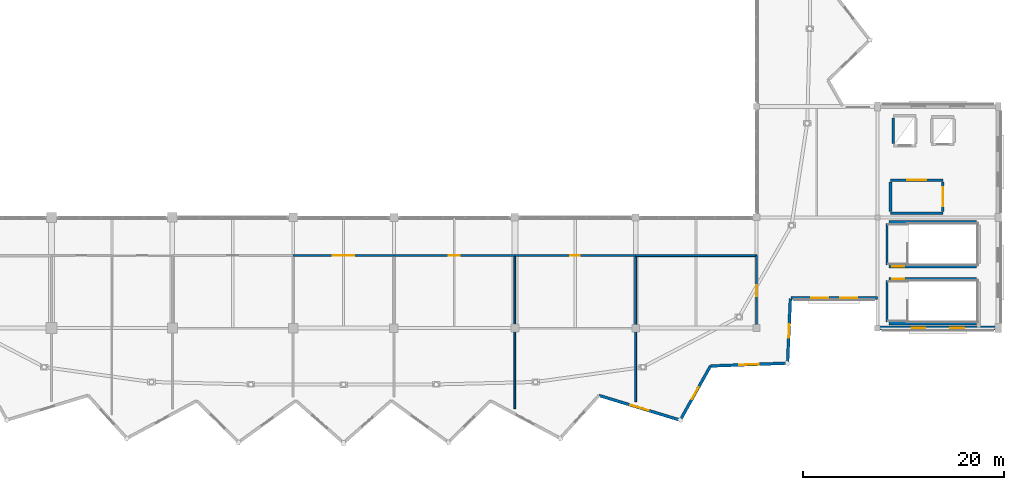
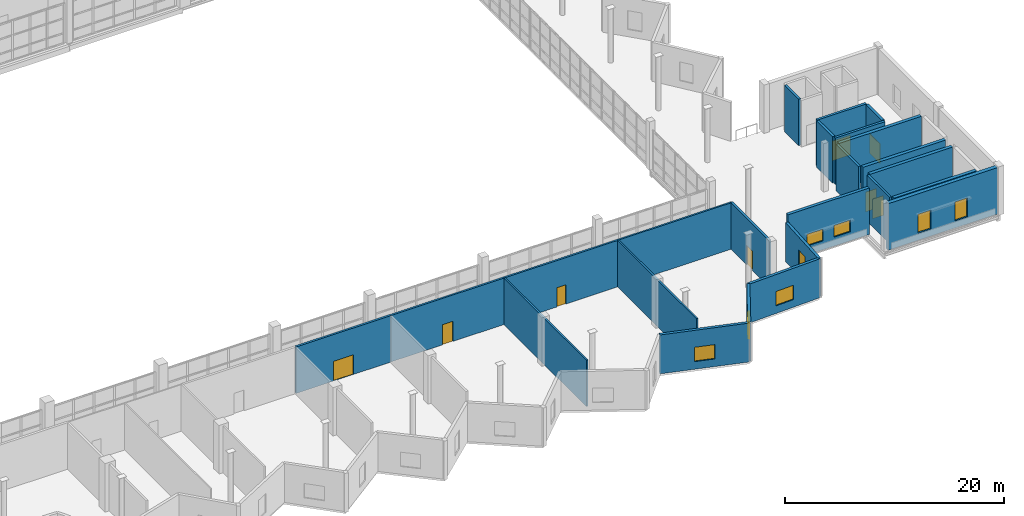
# One storey, part 39 of 49: 24 walls, 8 doors, 8 windows, 16 openings.
"""IFC4 building model written with IfcOpenShell, lengths in metres."""

from ifc_helpers import new_model, si_unit, direction, frame, frame_2d, origin, place, context, subcontext, project, spatial, rectangle, extrude, material, layer, layer_set, type_object, element, fill, save


model = new_model("IFC4")

# Units and contexts
model_context = context("Model", 3, precision=1e-05, world=origin(), true_north=direction((0.0, 1.0)))
body_context = subcontext(model_context, "Body", "Model", "MODEL_VIEW")
ifc_project = project(units=[si_unit("LENGTHUNIT", "METRE"), si_unit("AREAUNIT", "SQUARE_METRE"), si_unit("VOLUMEUNIT", "CUBIC_METRE"), si_unit("PLANEANGLEUNIT", "RADIAN"), si_unit("MASSUNIT", "GRAM", prefix="KILO")], contexts=[model_context])

# Site, building, storey
site_placement = place(None, origin())
site = spatial("IfcSite", under=ifc_project, at=site_placement, CompositionType="ELEMENT")
building_placement = place(site_placement, origin())
building = spatial("IfcBuilding", under=site, at=building_placement, Name="Luwafu Chhajja Arena", CompositionType="ELEMENT")
storey_placement = place(building_placement, frame((0.0, 0.0, 24.300048828125)))
storey = spatial("IfcBuildingStorey", under=building, at=storey_placement, Name="L05", CompositionType="ELEMENT", Elevation=24.300048828125)

# Wall, opening, door
ifc_material_1 = material(Name="Acoustic gypsum and mineral wool partition")
ifc_layer_1 = layer(ifc_material_1, 0.199951171875, Name="Acoustic gypsum and mineral wool partition")
ifc_layer_set_1 = layer_set([ifc_layer_1], Name="Acoustic gypsum and mineral wool partition")
wall_type_1 = type_object("IfcWallType", Name="Acoustic Broadcast Studio Partition 200", PredefinedType="PARTITIONING", material=ifc_layer_set_1)
wall_1_placement = place(storey_placement, frame((104.0, 18.199951171875, 0.0), z_axis=(0.0, 0.0, 1.0), x_axis=(1.0, 0.0, 0.0)))
wall_1 = element("IfcWall", 1, at=wall_1_placement, inside=storey, type_object=wall_type_1, Name="L05 Internal Partition 0347", PredefinedType="PARTITIONING", context=body_context, shape_type="SweptSolid", body=[
    extrude(rectangle(XDim=12.0, YDim=0.199951171875, at=frame_2d((6.0, 0.0))), origin(), (0.0, 0.0, 1.0), 5.179931640625),
])
opening_1_placement = place(wall_1_placement, frame((5.43994140625, 0.0, 0.0)))
opening_1 = element("IfcOpeningElement", 2, at=opening_1_placement, cuts=wall_1, Name="Opening DR-16", PredefinedType="OPENING", context=body_context, shape_type="SweptSolid", body=[
    extrude(rectangle(XDim=1.1201171875, YDim=2.25, at=frame_2d((0.56005859375, 1.125))), frame((0.0, 0.10986328125, 0.0), z_axis=(0.0, -1.0, 0.0), x_axis=(1.0, 0.0, 0.0)), (0.0, 0.0, 1.0), 0.219970703125),
])
ifc_material_2 = material(Name="Acoustic steel-core timber door", Category="steel")
door_type_1 = type_object("IfcDoorType", Name="DR-16", OperationType="NOTDEFINED", PredefinedType="DOOR", material=ifc_material_2)
door_1_placement = place(opening_1_placement, origin())
door_1 = element("IfcDoor", 3, at=door_1_placement, inside=storey, type_object=door_type_1, Name="L05 Interior Door L05-D025", OperationType="SINGLE_SWING_RIGHT", OverallHeight=2.25, OverallWidth=1.1201171875, PredefinedType="DOOR", context=body_context, shape_type="SweptSolid", body=[
    extrude(rectangle(XDim=1.1201171875, YDim=2.25, at=frame_2d((0.56005859375, 1.125))), frame((0.0, 0.02490234375, 0.0), z_axis=(0.0, -1.0, 0.0), x_axis=(1.0, 0.0, 0.0)), (0.0, 0.0, 1.0), 0.050048828125),
])
fill(opening_1, door_1)

wall_2_placement = place(storey_placement, frame((116.0, 18.199951171875, 0.0), z_axis=(0.0, 0.0, 1.0), x_axis=(1.0, 0.0, 0.0)))
wall_2 = element("IfcWall", 4, at=wall_2_placement, inside=storey, type_object=wall_type_1, Name="L05 Internal Partition 0348", PredefinedType="PARTITIONING", context=body_context, shape_type="SweptSolid", body=[
    extrude(rectangle(XDim=12.0, YDim=0.199951171875, at=frame_2d((6.0, 0.0))), origin(), (0.0, 0.0, 1.0), 5.179931640625),
])
opening_2_placement = place(wall_2_placement, frame((5.530029296875, 0.0, 0.0)))
opening_2 = element("IfcOpeningElement", 5, at=opening_2_placement, cuts=wall_2, Name="Opening DR-17", PredefinedType="OPENING", context=body_context, shape_type="SweptSolid", body=[
    extrude(rectangle(XDim=0.93994140625, YDim=2.14990234375, at=frame_2d((0.469970703125, 1.074951171875))), frame((0.0, 0.10986328125, 0.0), z_axis=(0.0, -1.0, 0.0), x_axis=(1.0, 0.0, 0.0)), (0.0, 0.0, 1.0), 0.219970703125),
])
door_type_2 = type_object("IfcDoorType", Name="DR-17", OperationType="NOTDEFINED", PredefinedType="DOOR", material=ifc_material_2)
door_2_placement = place(opening_2_placement, origin())
door_2 = element("IfcDoor", 6, at=door_2_placement, inside=storey, type_object=door_type_2, Name="L05 Interior Door L05-D026", OperationType="SINGLE_SWING_LEFT", OverallHeight=2.14990234375, OverallWidth=0.93994140625, PredefinedType="DOOR", context=body_context, shape_type="SweptSolid", body=[
    extrude(rectangle(XDim=0.93994140625, YDim=2.14990234375, at=frame_2d((0.469970703125, 1.074951171875))), frame((0.0, 0.02490234375, 0.0), z_axis=(0.0, -1.0, 0.0), x_axis=(1.0, 0.0, 0.0)), (0.0, 0.0, 1.0), 0.050048828125),
])
fill(opening_2, door_2)

ifc_material_3 = material(Name="Concrete blockwork masonry", Category="masonry")
ifc_layer_2 = layer(ifc_material_3, 0.239990234375, Name="Concrete blockwork masonry")
ifc_layer_set_2 = layer_set([ifc_layer_2], Name="Concrete blockwork masonry")
wall_type_2 = type_object("IfcWallType", Name="Compartment Masonry Partition 240", PredefinedType="PARTITIONING", material=ifc_layer_set_2)
wall_3_placement = place(storey_placement, frame((140.0, 11.219970703125, 0.0), z_axis=(0.0, 0.0, 1.0), x_axis=(0.0, 1.0, 0.0)))
wall_3 = element("IfcWall", 7, at=wall_3_placement, inside=storey, type_object=wall_type_2, Name="L05 Internal Partition 0339", PredefinedType="PARTITIONING", context=body_context, shape_type="SweptSolid", body=[
    extrude(rectangle(XDim=6.97998046875, YDim=0.239990234375, at=frame_2d((3.489990234375, 0.0))), origin(), (0.0, 0.0, 1.0), 5.179931640625),
])
opening_3_placement = place(wall_3_placement, frame((2.949951171875, 0.0, 0.0)))
opening_3 = element("IfcOpeningElement", 8, at=opening_3_placement, cuts=wall_3, Name="Opening DR-10", PredefinedType="OPENING", context=body_context, shape_type="SweptSolid", body=[
    extrude(rectangle(XDim=1.080078125, YDim=2.14990234375, at=frame_2d((0.5400390625, 1.074951171875))), frame((0.0, 0.1298828125, 0.0), z_axis=(0.0, -1.0, 0.0), x_axis=(1.0, 0.0, 0.0)), (0.0, 0.0, 1.0), 0.260009765625),
])
ifc_material_4 = material(Name="Fire-rated hardwood leaf", Category="wood")
door_type_3 = type_object("IfcDoorType", Name="DR-10", OperationType="NOTDEFINED", PredefinedType="DOOR", material=ifc_material_4)
door_3_placement = place(opening_3_placement, origin())
door_3 = element("IfcDoor", 9, at=door_3_placement, inside=storey, type_object=door_type_3, Name="L05 Interior Door L05-D019", OperationType="SINGLE_SWING_RIGHT", OverallHeight=2.14990234375, OverallWidth=1.080078125, PredefinedType="DOOR", context=body_context, shape_type="SweptSolid", body=[
    extrude(rectangle(XDim=1.080078125, YDim=2.14990234375, at=frame_2d((0.5400390625, 1.074951171875))), frame((0.0, 0.02490234375, 0.0), z_axis=(0.0, -1.0, 0.0), x_axis=(1.0, 0.0, 0.0)), (0.0, 0.0, 1.0), 0.050048828125),
])
fill(opening_3, door_3)

ifc_material_5 = material(Name="Concrete C40/50", Category="concrete")
ifc_layer_3 = layer(ifc_material_5, 0.260009765625, Name="Concrete C40/50")
ifc_layer_set_3 = layer_set([ifc_layer_3], Name="Concrete C40/50")
wall_type_3 = type_object("IfcWallType", Name="Firefighting Lobby Wall 260", PredefinedType="SOLIDWALL", material=ifc_layer_set_3)
wall_4_placement = place(storey_placement, frame((153.300048828125, 25.699951171875, 0.0), z_axis=(0.0, 0.0, 1.0), x_axis=(1.0, 0.0, 0.0)))
wall_4 = element("IfcWall", 10, at=wall_4_placement, inside=storey, type_object=wall_type_3, Name="L05 Core C2 Firefighting Lobby Wall N", PredefinedType="SOLIDWALL", context=body_context, shape_type="SweptSolid", body=[
    extrude(rectangle(XDim=5.199951171875, YDim=0.260009765625, at=frame_2d((2.60009765625, 0.0))), origin(), (0.0, 0.0, 1.0), 5.179931640625),
])
opening_4_placement = place(wall_4_placement, frame((1.64990234375, 0.0, 0.0)))
opening_4 = element("IfcOpeningElement", 11, at=opening_4_placement, cuts=wall_4, Name="Opening DR-07", PredefinedType="OPENING", context=body_context, shape_type="SweptSolid", body=[
    extrude(rectangle(XDim=1.89990234375, YDim=2.199951171875, at=frame_2d((0.949951171875, 1.10009765625))), frame((0.0, 0.139892578125, 0.0), z_axis=(0.0, -1.0, 0.0), x_axis=(1.0, 0.0, 0.0)), (0.0, 0.0, 1.0), 0.280029296875),
])
ifc_material_6 = material(Name="Fire-rated hardwood and vision panel", Category="wood")
door_type_4 = type_object("IfcDoorType", Name="DR-07", OperationType="DOUBLE_DOOR_SINGLE_SWING", PredefinedType="DOOR", material=ifc_material_6)
door_4_placement = place(opening_4_placement, origin())
door_4 = element("IfcDoor", 12, at=door_4_placement, inside=storey, type_object=door_type_4, Name="L05 Firefighting Lobby C2 Door L05-D007", OperationType="DOUBLE_DOOR_SINGLE_SWING", OverallHeight=2.199951171875, OverallWidth=1.89990234375, PredefinedType="DOOR", context=body_context, shape_type="SweptSolid", body=[
    extrude(rectangle(XDim=1.89990234375, YDim=2.199951171875, at=frame_2d((0.949951171875, 1.10009765625))), frame((0.0, 0.02490234375, 0.0), z_axis=(0.0, -1.0, 0.0), x_axis=(1.0, 0.0, 0.0)), (0.0, 0.0, 1.0), 0.050048828125),
])
fill(opening_4, door_4)

# Walls
wall_5_placement = place(storey_placement, frame((153.300048828125, 22.39990234375, 0.0), z_axis=(0.0, 0.0, 1.0), x_axis=(1.0, 0.0, 0.0)))
element("IfcWall", 13, at=wall_5_placement, inside=storey, type_object=wall_type_3, Name="L05 Core C2 Firefighting Lobby Wall S", PredefinedType="SOLIDWALL", context=body_context, shape_type="SweptSolid", body=[
    extrude(rectangle(XDim=5.199951171875, YDim=0.260009765625, at=frame_2d((2.60009765625, 0.0))), origin(), (0.0, 0.0, 1.0), 5.179931640625),
])
wall_6_placement = place(storey_placement, frame((153.300048828125, 22.60009765625, 0.0), z_axis=(0.0, 0.0, 1.0), x_axis=(0.0, 1.0, 0.0)))
element("IfcWall", 14, at=wall_6_placement, inside=storey, type_object=wall_type_3, Name="L05 Core C2 Firefighting Lobby Wall W", PredefinedType="SOLIDWALL", context=body_context, shape_type="SweptSolid", body=[
    extrude(rectangle(XDim=2.89990234375, YDim=0.260009765625, at=frame_2d((1.449951171875, 0.0))), origin(), (0.0, 0.0, 1.0), 5.179931640625),
])

# Wall, opening, door
wall_7_placement = place(storey_placement, frame((158.5, 22.60009765625, 0.0), z_axis=(0.0, 0.0, 1.0), x_axis=(0.0, 1.0, 0.0)))
wall_7 = element("IfcWall", 15, at=wall_7_placement, inside=storey, type_object=wall_type_3, Name="L05 Core C2 Firefighting Lobby Wall E", PredefinedType="SOLIDWALL", context=body_context, shape_type="SweptSolid", body=[
    extrude(rectangle(XDim=2.89990234375, YDim=0.260009765625, at=frame_2d((1.449951171875, 0.0))), origin(), (0.0, 0.0, 1.0), 5.179931640625),
])
opening_5_placement = place(wall_7_placement, frame((0.5, 0.0, 0.0)))
opening_5 = element("IfcOpeningElement", 16, at=opening_5_placement, cuts=wall_7, Name="Opening DR-07", PredefinedType="OPENING", context=body_context, shape_type="SweptSolid", body=[
    extrude(rectangle(XDim=1.89990234375, YDim=2.199951171875, at=frame_2d((0.949951171875, 1.10009765625))), frame((0.0, 0.139892578125, 0.0), z_axis=(0.0, -1.0, 0.0), x_axis=(1.0, 0.0, 0.0)), (0.0, 0.0, 1.0), 0.280029296875),
])
door_5_placement = place(opening_5_placement, origin())
door_5 = element("IfcDoor", 17, at=door_5_placement, inside=storey, type_object=door_type_4, Name="L05 Firefighting Lobby C2 Door L05-D008", OperationType="DOUBLE_DOOR_SINGLE_SWING", OverallHeight=2.199951171875, OverallWidth=1.89990234375, PredefinedType="DOOR", context=body_context, shape_type="SweptSolid", body=[
    extrude(rectangle(XDim=1.89990234375, YDim=2.199951171875, at=frame_2d((0.949951171875, 1.10009765625))), frame((0.0, 0.02490234375, 0.0), z_axis=(0.0, -1.0, 0.0), x_axis=(1.0, 0.0, 0.0)), (0.0, 0.0, 1.0), 0.050048828125),
])
fill(opening_5, door_5)

# Walls
ifc_layer_4 = layer(ifc_material_3, 0.179931640625, Name="Concrete blockwork masonry")
ifc_layer_set_4 = layer_set([ifc_layer_4], Name="Concrete blockwork masonry")
wall_type_4 = type_object("IfcWallType", Name="Hospitality Suite Partition 180", PredefinedType="PARTITIONING", material=ifc_layer_set_4)
wall_8_placement = place(storey_placement, frame((128.0, 18.199951171875, 0.0), z_axis=(0.0, 0.0, 1.0), x_axis=(1.0, 0.0, 0.0)))
element("IfcWall", 18, at=wall_8_placement, inside=storey, type_object=wall_type_4, Name="L05 Internal Partition 0349", PredefinedType="PARTITIONING", context=body_context, shape_type="SweptSolid", body=[
    extrude(rectangle(XDim=12.0, YDim=0.179931640625, at=frame_2d((6.0, 0.0))), origin(), (0.0, 0.0, 1.0), 5.179931640625),
])
wall_9_placement = place(storey_placement, frame((116.0, 3.015625, 0.0), z_axis=(0.0, 0.0, 1.0), x_axis=(0.0, 1.0, 0.0)))
element("IfcWall", 19, at=wall_9_placement, inside=storey, type_object=wall_type_4, Name="L05 Internal Partition 0362", PredefinedType="PARTITIONING", context=body_context, shape_type="SweptSolid", body=[
    extrude(rectangle(XDim=15.184326171875, YDim=0.179931640625, at=frame_2d((7.59228515625, 0.0))), origin(), (0.0, 0.0, 1.0), 5.179931640625),
])
wall_10_placement = place(storey_placement, frame((128.0, 3.712158203125, 0.0), z_axis=(0.0, 0.0, 1.0), x_axis=(0.0, 1.0, 0.0)))
element("IfcWall", 20, at=wall_10_placement, inside=storey, type_object=wall_type_4, Name="L05 Internal Partition 0363", PredefinedType="PARTITIONING", context=body_context, shape_type="SweptSolid", body=[
    extrude(rectangle(XDim=14.48779296875, YDim=0.179931640625, at=frame_2d((7.243896484375, 0.0))), origin(), (0.0, 0.0, 1.0), 5.179931640625),
])
ifc_material_7 = material(Name="Concrete C35/45", Category="concrete")
ifc_layer_5 = layer(ifc_material_7, 0.260009765625, Name="Concrete C35/45")
ifc_layer_set_5 = layer_set([ifc_layer_5], Name="Concrete C35/45")
wall_type_5 = type_object("IfcWallType", Name="Lift and Riser Shaft Wall 260", PredefinedType="SOLIDWALL", material=ifc_layer_set_5)
wall_11_placement = place(storey_placement, frame((153.590087890625, 29.31494140625, 0.0), z_axis=(0.0, 0.0, 1.0), x_axis=(0.0, 1.0, 0.0)))
element("IfcWall", 21, at=wall_11_placement, inside=storey, type_object=wall_type_5, Name="L05 Lift LF-02 Shaft Wall W", PredefinedType="SOLIDWALL", context=body_context, shape_type="SweptSolid", body=[
    extrude(rectangle(XDim=2.570068359375, YDim=0.260009765625, at=frame_2d((1.28515625, 0.0))), origin(), (0.0, 0.0, 1.0), 5.179931640625),
])

# Wall, opening, window
ifc_material_8 = material(Name="Precast concrete C40/50", Category="concrete")
ifc_layer_6 = layer(ifc_material_8, 0.2900390625, Name="Precast concrete C40/50")
ifc_layer_set_6 = layer_set([ifc_layer_6], Name="Precast concrete C40/50")
wall_type_6 = type_object("IfcWallType", Name="Pleated Bowl Upper V-Fold Wall 290", PredefinedType="USERDEFINED", material=ifc_layer_set_6)
wall_12_placement = place(storey_placement, frame((124.364013671875, 4.316162109375, 0.0), z_axis=(0.0, 0.0, 1.0), x_axis=(0.956738407321, -0.290949514446, 0.0)))
wall_12 = element("IfcWall", 22, at=wall_12_placement, inside=storey, type_object=wall_type_6, Name="L05 Pleated Bowl V-Fold Wall 54", ObjectType="PLEATED FACADE WALL", PredefinedType="USERDEFINED", context=body_context, shape_type="SweptSolid", body=[
    extrude(rectangle(XDim=8.427978515625, YDim=0.2900390625, at=frame_2d((4.2138671875, 0.0))), origin(), (0.0, 0.0, 1.0), 4.33984375),
])
opening_6_placement = place(wall_12_placement, frame((3.263916015625, 0.0, 0.85009765625)))
opening_6 = element("IfcOpeningElement", 23, at=opening_6_placement, cuts=wall_12, Name="Opening WN-15", PredefinedType="OPENING", context=body_context, shape_type="SweptSolid", body=[
    extrude(rectangle(XDim=1.89990234375, YDim=1.60009765625, at=frame_2d((0.949951171875, 0.800048828125))), frame((0.0, 0.155029296875, 0.0), z_axis=(0.0, -1.0, 0.0), x_axis=(1.0, 0.0, 0.0)), (0.0, 0.0, 1.0), 0.31005859375),
])
ifc_material_9 = material(Name="Solar-control laminated glass", Category="glass")
window_type_1 = type_object("IfcWindowType", Name="Pleated Drum Inward-Fold Clerestory 1900x1600", PartitioningType="SINGLE_PANEL", PredefinedType="WINDOW", material=ifc_material_9)
window_1_placement = place(opening_6_placement, origin())
window_1 = element("IfcWindow", 24, at=window_1_placement, inside=storey, type_object=window_type_1, Name="L05 Pleated Bowl Lancet Window 174", OverallHeight=1.60009765625, OverallWidth=1.89990234375, PartitioningType="SINGLE_PANEL", PredefinedType="WINDOW", context=body_context, shape_type="SweptSolid", body=[
    extrude(rectangle(XDim=1.89990234375, YDim=1.60009765625, at=frame_2d((0.949951171875, 0.800048828125))), frame((0.0, 0.030029296875, 0.0), z_axis=(0.0, -1.0, 0.0), x_axis=(1.0, 0.0, 0.0)), (0.0, 0.0, 1.0), 0.06005859375),
])
fill(opening_6, window_1)

wall_13_placement = place(storey_placement, frame((132.427490234375, 1.864013671875, 0.0), z_axis=(0.0, 0.0, 1.0), x_axis=(0.487306352228, 0.87323108, 0.0)))
wall_13 = element("IfcWall", 25, at=wall_13_placement, inside=storey, type_object=wall_type_6, Name="L05 Pleated Bowl V-Fold Wall 55", ObjectType="PLEATED FACADE WALL", PredefinedType="USERDEFINED", context=body_context, shape_type="SweptSolid", body=[
    extrude(rectangle(XDim=6.15283203125, YDim=0.2900390625, at=frame_2d((3.076416015625, 0.0))), origin(), (0.0, 0.0, 1.0), 4.33984375),
])
opening_7_placement = place(wall_13_placement, frame((2.401611328125, 0.0, 0.800048828125)))
opening_7 = element("IfcOpeningElement", 26, at=opening_7_placement, cuts=wall_13, Name="Opening WN-17", PredefinedType="OPENING", context=body_context, shape_type="SweptSolid", body=[
    extrude(rectangle(XDim=1.35009765625, YDim=2.10009765625, at=frame_2d((0.675048828125, 1.050048828125))), frame((0.0, 0.155029296875, 0.0), z_axis=(0.0, -1.0, 0.0), x_axis=(1.0, 0.0, 0.0)), (0.0, 0.0, 1.0), 0.31005859375),
])
window_type_2 = type_object("IfcWindowType", Name="Exhibition Mezzanine Lancet Window 1350x2100", PartitioningType="SINGLE_PANEL", PredefinedType="WINDOW", material=ifc_material_9)
window_2_placement = place(opening_7_placement, origin())
window_2 = element("IfcWindow", 27, at=window_2_placement, inside=storey, type_object=window_type_2, Name="L05 Pleated Bowl Lancet Window 175", OverallHeight=2.10009765625, OverallWidth=1.35009765625, PartitioningType="SINGLE_PANEL", PredefinedType="WINDOW", context=body_context, shape_type="SweptSolid", body=[
    extrude(rectangle(XDim=1.35009765625, YDim=2.10009765625, at=frame_2d((0.675048828125, 1.050048828125))), frame((0.0, 0.030029296875, 0.0), z_axis=(0.0, -1.0, 0.0), x_axis=(1.0, 0.0, 0.0)), (0.0, 0.0, 1.0), 0.06005859375),
])
fill(opening_7, window_2)

wall_14_placement = place(storey_placement, frame((135.42578125, 7.23681640625, 0.0), z_axis=(0.0, 0.0, 1.0), x_axis=(0.999297884119, 0.037466502319, 0.0)))
wall_14 = element("IfcWall", 28, at=wall_14_placement, inside=storey, type_object=wall_type_6, Name="L05 Pleated Bowl V-Fold Wall 56", ObjectType="PLEATED FACADE WALL", PredefinedType="USERDEFINED", context=body_context, shape_type="SweptSolid", body=[
    extrude(rectangle(XDim=7.6630859375, YDim=0.2900390625, at=frame_2d((3.83154296875, 0.0))), origin(), (0.0, 0.0, 1.0), 4.33984375),
])
opening_8_placement = place(wall_14_placement, frame((2.881591796875, 0.0, 0.85009765625)))
opening_8 = element("IfcOpeningElement", 29, at=opening_8_placement, cuts=wall_14, Name="Opening WN-15", PredefinedType="OPENING", context=body_context, shape_type="SweptSolid", body=[
    extrude(rectangle(XDim=1.89990234375, YDim=1.60009765625, at=frame_2d((0.949951171875, 0.800048828125))), frame((0.0, 0.155029296875, 0.0), z_axis=(0.0, -1.0, 0.0), x_axis=(1.0, 0.0, 0.0)), (0.0, 0.0, 1.0), 0.31005859375),
])
window_3_placement = place(opening_8_placement, origin())
window_3 = element("IfcWindow", 30, at=window_3_placement, inside=storey, type_object=window_type_1, Name="L05 Pleated Bowl Lancet Window 176", OverallHeight=1.60009765625, OverallWidth=1.89990234375, PartitioningType="SINGLE_PANEL", PredefinedType="WINDOW", context=body_context, shape_type="SweptSolid", body=[
    extrude(rectangle(XDim=1.89990234375, YDim=1.60009765625, at=frame_2d((0.949951171875, 0.800048828125))), frame((0.0, 0.030029296875, 0.0), z_axis=(0.0, -1.0, 0.0), x_axis=(1.0, 0.0, 0.0)), (0.0, 0.0, 1.0), 0.06005859375),
])
fill(opening_8, window_3)

wall_15_placement = place(storey_placement, frame((143.08349609375, 7.52392578125, 0.0), z_axis=(0.0, 0.0, 1.0), x_axis=(0.043587819379, 0.99904959937, 0.0)))
wall_15 = element("IfcWall", 31, at=wall_15_placement, inside=storey, type_object=wall_type_6, Name="L05 Pleated Bowl V-Fold Wall 57", ObjectType="PLEATED FACADE WALL", PredefinedType="USERDEFINED", context=body_context, shape_type="SweptSolid", body=[
    extrude(rectangle(XDim=6.402099609375, YDim=0.2900390625, at=frame_2d((3.201171875, 0.0))), origin(), (0.0, 0.0, 1.0), 4.33984375),
])
opening_9_placement = place(wall_15_placement, frame((2.52587890625, 0.0, 0.800048828125)))
opening_9 = element("IfcOpeningElement", 32, at=opening_9_placement, cuts=wall_15, Name="Opening WN-17", PredefinedType="OPENING", context=body_context, shape_type="SweptSolid", body=[
    extrude(rectangle(XDim=1.35009765625, YDim=2.10009765625, at=frame_2d((0.675048828125, 1.050048828125))), frame((0.0, 0.155029296875, 0.0), z_axis=(0.0, -1.0, 0.0), x_axis=(1.0, 0.0, 0.0)), (0.0, 0.0, 1.0), 0.31005859375),
])
window_4_placement = place(opening_9_placement, origin())
window_4 = element("IfcWindow", 33, at=window_4_placement, inside=storey, type_object=window_type_2, Name="L05 Pleated Bowl Lancet Window 177", OverallHeight=2.10009765625, OverallWidth=1.35009765625, PartitioningType="SINGLE_PANEL", PredefinedType="WINDOW", context=body_context, shape_type="SweptSolid", body=[
    extrude(rectangle(XDim=1.35009765625, YDim=2.10009765625, at=frame_2d((0.675048828125, 1.050048828125))), frame((0.0, 0.030029296875, 0.0), z_axis=(0.0, -1.0, 0.0), x_axis=(1.0, 0.0, 0.0)), (0.0, 0.0, 1.0), 0.06005859375),
])
fill(opening_9, window_4)

# Wall, opening, door
ifc_layer_7 = layer(ifc_material_3, 0.219970703125, Name="Concrete blockwork masonry")
ifc_layer_set_7 = layer_set([ifc_layer_7], Name="Concrete blockwork masonry")
wall_type_7 = type_object("IfcWallType", Name="Protected Corridor Partition 220", PredefinedType="PARTITIONING", material=ifc_layer_set_7)
wall_16_placement = place(storey_placement, frame((94.0, 18.199951171875, 0.0), z_axis=(0.0, 0.0, 1.0), x_axis=(1.0, 0.0, 0.0)))
wall_16 = element("IfcWall", 34, at=wall_16_placement, inside=storey, type_object=wall_type_7, Name="L05 Internal Partition 0346", PredefinedType="PARTITIONING", context=body_context, shape_type="SweptSolid", body=[
    extrude(rectangle(XDim=10.0, YDim=0.219970703125, at=frame_2d((5.0, 0.0))), origin(), (0.0, 0.0, 1.0), 5.179931640625),
])
opening_10_placement = place(wall_16_placement, frame((3.949951171875, 0.0, 0.0)))
opening_10 = element("IfcOpeningElement", 35, at=opening_10_placement, cuts=wall_16, Name="Opening DR-05", PredefinedType="OPENING", context=body_context, shape_type="SweptSolid", body=[
    extrude(rectangle(XDim=2.10009765625, YDim=2.199951171875, at=frame_2d((1.050048828125, 1.10009765625))), frame((0.0, 0.119873046875, 0.0), z_axis=(0.0, -1.0, 0.0), x_axis=(1.0, 0.0, 0.0)), (0.0, 0.0, 1.0), 0.239990234375),
])
ifc_material_10 = material(Name="Fire-rated hardwood and steel core", Category="steel")
door_type_5 = type_object("IfcDoorType", Name="DR-05", OperationType="DOUBLE_DOOR_SINGLE_SWING", PredefinedType="DOOR", material=ifc_material_10)
door_6_placement = place(opening_10_placement, origin())
door_6 = element("IfcDoor", 36, at=door_6_placement, inside=storey, type_object=door_type_5, Name="L05 Interior Door L05-D024", OperationType="DOUBLE_DOOR_SINGLE_SWING", OverallHeight=2.199951171875, OverallWidth=2.10009765625, PredefinedType="DOOR", context=body_context, shape_type="SweptSolid", body=[
    extrude(rectangle(XDim=2.10009765625, YDim=2.199951171875, at=frame_2d((1.050048828125, 1.10009765625))), frame((0.0, 0.02490234375, 0.0), z_axis=(0.0, -1.0, 0.0), x_axis=(1.0, 0.0, 0.0)), (0.0, 0.0, 1.0), 0.050048828125),
])
fill(opening_10, door_6)

# Wall
ifc_layer_8 = layer(ifc_material_5, 0.35009765625, Name="Concrete C40/50")
ifc_layer_set_8 = layer_set([ifc_layer_8], Name="Concrete C40/50")
wall_type_8 = type_object("IfcWallType", Name="RC Core Shear Wall 350", PredefinedType="SOLIDWALL", material=ifc_layer_set_8)
wall_17_placement = place(storey_placement, frame((153.14990234375, 11.47802734375, 0.0), z_axis=(0.0, 0.0, 1.0), x_axis=(1.0, 0.0, 0.0)))
element("IfcWall", 37, at=wall_17_placement, inside=storey, type_object=wall_type_8, Name="L05 Stair ST-03 Core Shear Wall S", PredefinedType="SOLIDWALL", context=body_context, shape_type="SweptSolid", body=[
    extrude(rectangle(XDim=8.7001953125, YDim=0.35009765625, at=frame_2d((4.35009765625, 0.0))), origin(), (0.0, 0.0, 1.0), 5.179931640625),
])

# Wall, opening, door
wall_18_placement = place(storey_placement, frame((153.14990234375, 15.862060546875, 0.0), z_axis=(0.0, 0.0, 1.0), x_axis=(1.0, 0.0, 0.0)))
wall_18 = element("IfcWall", 38, at=wall_18_placement, inside=storey, type_object=wall_type_8, Name="L05 Stair ST-03 Core Shear Wall N", PredefinedType="SOLIDWALL", context=body_context, shape_type="SweptSolid", body=[
    extrude(rectangle(XDim=8.7001953125, YDim=0.35009765625, at=frame_2d((4.35009765625, 0.0))), origin(), (0.0, 0.0, 1.0), 5.179931640625),
])
opening_11_placement = place(wall_18_placement, frame((0.35009765625, 0.0, 0.0)))
opening_11 = element("IfcOpeningElement", 39, at=opening_11_placement, cuts=wall_18, Name="Opening DR-06", PredefinedType="OPENING", context=body_context, shape_type="SweptSolid", body=[
    extrude(rectangle(XDim=1.14990234375, YDim=2.199951171875, at=frame_2d((0.574951171875, 1.10009765625))), frame((0.0, 0.18505859375, 0.0), z_axis=(0.0, -1.0, 0.0), x_axis=(1.0, 0.0, 0.0)), (0.0, 0.0, 1.0), 0.3701171875),
])
door_type_6 = type_object("IfcDoorType", Name="DR-06", OperationType="NOTDEFINED", PredefinedType="DOOR", material=ifc_material_10)
door_7_placement = place(opening_11_placement, origin())
door_7 = element("IfcDoor", 40, at=door_7_placement, inside=storey, type_object=door_type_6, Name="L05 Escape Stair ST-03 Fire Door L05-D005", OperationType="SINGLE_SWING_RIGHT", OverallHeight=2.199951171875, OverallWidth=1.14990234375, PredefinedType="DOOR", context=body_context, shape_type="SweptSolid", body=[
    extrude(rectangle(XDim=1.14990234375, YDim=2.199951171875, at=frame_2d((0.574951171875, 1.10009765625))), frame((0.0, 0.02490234375, 0.0), z_axis=(0.0, -1.0, 0.0), x_axis=(1.0, 0.0, 0.0)), (0.0, 0.0, 1.0), 0.050048828125),
])
fill(opening_11, door_7)

wall_19_placement = place(storey_placement, frame((153.14990234375, 17.137939453125, 0.0), z_axis=(0.0, 0.0, 1.0), x_axis=(1.0, 0.0, 0.0)))
wall_19 = element("IfcWall", 41, at=wall_19_placement, inside=storey, type_object=wall_type_8, Name="L05 Stair ST-04 Core Shear Wall S", PredefinedType="SOLIDWALL", context=body_context, shape_type="SweptSolid", body=[
    extrude(rectangle(XDim=8.7001953125, YDim=0.35009765625, at=frame_2d((4.35009765625, 0.0))), origin(), (0.0, 0.0, 1.0), 5.179931640625),
])
opening_12_placement = place(wall_19_placement, frame((0.35009765625, 0.0, 0.0)))
opening_12 = element("IfcOpeningElement", 42, at=opening_12_placement, cuts=wall_19, Name="Opening DR-06", PredefinedType="OPENING", context=body_context, shape_type="SweptSolid", body=[
    extrude(rectangle(XDim=1.14990234375, YDim=2.199951171875, at=frame_2d((0.574951171875, 1.10009765625))), frame((0.0, 0.18505859375, 0.0), z_axis=(0.0, -1.0, 0.0), x_axis=(1.0, 0.0, 0.0)), (0.0, 0.0, 1.0), 0.3701171875),
])
door_8_placement = place(opening_12_placement, origin())
door_8 = element("IfcDoor", 43, at=door_8_placement, inside=storey, type_object=door_type_6, Name="L05 Escape Stair ST-04 Fire Door L05-D006", OperationType="SINGLE_SWING_LEFT", OverallHeight=2.199951171875, OverallWidth=1.14990234375, PredefinedType="DOOR", context=body_context, shape_type="SweptSolid", body=[
    extrude(rectangle(XDim=1.14990234375, YDim=2.199951171875, at=frame_2d((0.574951171875, 1.10009765625))), frame((0.0, 0.02490234375, 0.0), z_axis=(0.0, -1.0, 0.0), x_axis=(1.0, 0.0, 0.0)), (0.0, 0.0, 1.0), 0.050048828125),
])
fill(opening_12, door_8)

# Wall
wall_20_placement = place(storey_placement, frame((153.14990234375, 21.52197265625, 0.0), z_axis=(0.0, 0.0, 1.0), x_axis=(1.0, 0.0, 0.0)))
element("IfcWall", 44, at=wall_20_placement, inside=storey, type_object=wall_type_8, Name="L05 Stair ST-04 Core Shear Wall N", PredefinedType="SOLIDWALL", context=body_context, shape_type="SweptSolid", body=[
    extrude(rectangle(XDim=8.7001953125, YDim=0.35009765625, at=frame_2d((4.35009765625, 0.0))), origin(), (0.0, 0.0, 1.0), 5.179931640625),
])

# Wall, openings, windows
ifc_layer_9 = layer(ifc_material_5, 0.39990234375, Name="Concrete C40/50")
ifc_layer_set_9 = layer_set([ifc_layer_9], Name="Concrete C40/50")
wall_type_9 = type_object("IfcWallType", Name="RC Core Shear Wall 400", PredefinedType="SOLIDWALL", material=ifc_layer_set_9)
wall_21_placement = place(storey_placement, frame((152.219970703125, 11.0, 0.0), z_axis=(0.0, 0.0, 1.0), x_axis=(1.0, 0.0, 0.0)))
wall_21 = element("IfcWall", 45, at=wall_21_placement, inside=storey, type_object=wall_type_9, Name="L05 Exterior Wall WEX-L05-246", PredefinedType="SOLIDWALL", context=body_context, shape_type="SweptSolid", body=[
    extrude(rectangle(XDim=11.56005859375, YDim=0.39990234375, at=frame_2d((5.780029296875, 0.0))), origin(), (0.0, 0.0, 1.0), 5.18505859375),
])
opening_13_placement = place(wall_21_placement, frame((3.17822265625, 0.0, 0.800048828125)))
opening_13 = element("IfcOpeningElement", 46, at=opening_13_placement, cuts=wall_21, Name="Opening WN-17", PredefinedType="OPENING", context=body_context, shape_type="SweptSolid", body=[
    extrude(rectangle(XDim=1.35009765625, YDim=2.10009765625, at=frame_2d((0.675048828125, 1.050048828125))), frame((0.0, 0.2099609375, 0.0), z_axis=(0.0, -1.0, 0.0), x_axis=(1.0, 0.0, 0.0)), (0.0, 0.0, 1.0), 0.419921875),
])
opening_14_placement = place(wall_21_placement, frame((7.03173828125, 0.0, 0.800048828125)))
opening_14 = element("IfcOpeningElement", 47, at=opening_14_placement, cuts=wall_21, Name="Opening WN-17", PredefinedType="OPENING", context=body_context, shape_type="SweptSolid", body=[
    extrude(rectangle(XDim=1.35009765625, YDim=2.10009765625, at=frame_2d((0.675048828125, 1.050048828125))), frame((0.0, 0.2099609375, 0.0), z_axis=(0.0, -1.0, 0.0), x_axis=(1.0, 0.0, 0.0)), (0.0, 0.0, 1.0), 0.419921875),
])
window_5_placement = place(opening_13_placement, origin())
window_5 = element("IfcWindow", 48, at=window_5_placement, inside=storey, type_object=window_type_2, Name="L05 Facade Window 236", OverallHeight=2.10009765625, OverallWidth=1.35009765625, PartitioningType="SINGLE_PANEL", PredefinedType="WINDOW", context=body_context, shape_type="SweptSolid", body=[
    extrude(rectangle(XDim=1.35009765625, YDim=2.10009765625, at=frame_2d((0.675048828125, 1.050048828125))), frame((0.0, 0.030029296875, 0.0), z_axis=(0.0, -1.0, 0.0), x_axis=(1.0, 0.0, 0.0)), (0.0, 0.0, 1.0), 0.06005859375),
])
fill(opening_13, window_5)
window_6_placement = place(opening_14_placement, origin())
window_6 = element("IfcWindow", 49, at=window_6_placement, inside=storey, type_object=window_type_2, Name="L05 Facade Window 237", OverallHeight=2.10009765625, OverallWidth=1.35009765625, PartitioningType="SINGLE_PANEL", PredefinedType="WINDOW", context=body_context, shape_type="SweptSolid", body=[
    extrude(rectangle(XDim=1.35009765625, YDim=2.10009765625, at=frame_2d((0.675048828125, 1.050048828125))), frame((0.0, 0.030029296875, 0.0), z_axis=(0.0, -1.0, 0.0), x_axis=(1.0, 0.0, 0.0)), (0.0, 0.0, 1.0), 0.06005859375),
])
fill(opening_14, window_6)

ifc_layer_10 = layer(ifc_material_7, 0.320068359375, Name="Concrete C35/45")
ifc_layer_set_10 = layer_set([ifc_layer_10], Name="Concrete C35/45")
wall_type_10 = type_object("IfcWallType", Name="Sandstone Backed Exterior Wall 320", PredefinedType="SOLIDWALL", material=ifc_layer_set_10)
wall_22_placement = place(storey_placement, frame((143.426025390625, 14.0, 0.0), z_axis=(0.0, 0.0, 1.0), x_axis=(1.0, 0.0, 0.0)))
wall_22 = element("IfcWall", 50, at=wall_22_placement, inside=storey, type_object=wall_type_10, Name="L05 Exterior Wall WEX-L05-243", PredefinedType="SOLIDWALL", context=body_context, shape_type="SweptSolid", body=[
    extrude(rectangle(XDim=8.573974609375, YDim=0.320068359375, at=frame_2d((4.287109375, 0.0))), origin(), (0.0, 0.0, 1.0), 5.18505859375),
])
opening_15_placement = place(wall_22_placement, frame((2.008056640625, 0.0, 1.0)))
opening_15 = element("IfcOpeningElement", 51, at=opening_15_placement, cuts=wall_22, Name="Opening WN-21", PredefinedType="OPENING", context=body_context, shape_type="SweptSolid", body=[
    extrude(rectangle(XDim=1.699951171875, YDim=1.300048828125, at=frame_2d((0.85009765625, 0.64990234375))), frame((0.0, 0.169921875, 0.0), z_axis=(0.0, -1.0, 0.0), x_axis=(1.0, 0.0, 0.0)), (0.0, 0.0, 1.0), 0.340087890625),
])
opening_16_placement = place(wall_22_placement, frame((4.865966796875, 0.0, 1.0)))
opening_16 = element("IfcOpeningElement", 52, at=opening_16_placement, cuts=wall_22, Name="Opening WN-21", PredefinedType="OPENING", context=body_context, shape_type="SweptSolid", body=[
    extrude(rectangle(XDim=1.699951171875, YDim=1.300048828125, at=frame_2d((0.85009765625, 0.64990234375))), frame((0.0, 0.169921875, 0.0), z_axis=(0.0, -1.0, 0.0), x_axis=(1.0, 0.0, 0.0)), (0.0, 0.0, 1.0), 0.340087890625),
])
window_type_3 = type_object("IfcWindowType", Name="Technical Gallery Louvred Window 1700x1300", PartitioningType="SINGLE_PANEL", PredefinedType="WINDOW", material=ifc_material_9)
window_7_placement = place(opening_15_placement, origin())
window_7 = element("IfcWindow", 53, at=window_7_placement, inside=storey, type_object=window_type_3, Name="L05 Facade Window 230", OverallHeight=1.300048828125, OverallWidth=1.699951171875, PartitioningType="SINGLE_PANEL", PredefinedType="WINDOW", context=body_context, shape_type="SweptSolid", body=[
    extrude(rectangle(XDim=1.699951171875, YDim=1.300048828125, at=frame_2d((0.85009765625, 0.64990234375))), frame((0.0, 0.030029296875, 0.0), z_axis=(0.0, -1.0, 0.0), x_axis=(1.0, 0.0, 0.0)), (0.0, 0.0, 1.0), 0.06005859375),
])
fill(opening_15, window_7)
window_8_placement = place(opening_16_placement, origin())
window_8 = element("IfcWindow", 54, at=window_8_placement, inside=storey, type_object=window_type_3, Name="L05 Facade Window 231", OverallHeight=1.300048828125, OverallWidth=1.699951171875, PartitioningType="SINGLE_PANEL", PredefinedType="WINDOW", context=body_context, shape_type="SweptSolid", body=[
    extrude(rectangle(XDim=1.699951171875, YDim=1.300048828125, at=frame_2d((0.85009765625, 0.64990234375))), frame((0.0, 0.030029296875, 0.0), z_axis=(0.0, -1.0, 0.0), x_axis=(1.0, 0.0, 0.0)), (0.0, 0.0, 1.0), 0.06005859375),
])
fill(opening_16, window_8)

# Walls
ifc_layer_11 = layer(ifc_material_7, 0.22998046875, Name="Concrete C35/45")
ifc_layer_set_11 = layer_set([ifc_layer_11], Name="Concrete C35/45")
wall_type_11 = type_object("IfcWallType", Name="Stair Enclosure Wall 230", PredefinedType="SOLIDWALL", material=ifc_layer_set_11)
for number, where, z_axis, x_axis, name in (
    (55, (152.9599609375, 11.6298828125, 0.0), (0.0, 0.0, 1.0), (0.0, 1.0, 0.0), "L05 Stair ST-03 Enclosure Wall W"),
    (56, (152.9599609375, 17.2900390625, 0.0), (0.0, 0.0, 1.0), (0.0, 1.0, 0.0), "L05 Stair ST-04 Enclosure Wall W"),
):
    element("IfcWall", number, at=place(storey_placement, frame(where, z_axis=z_axis, x_axis=x_axis)), inside=storey, type_object=wall_type_11, Name=name, PredefinedType="SOLIDWALL", context=body_context, shape_type="SweptSolid", body=[
        extrude(rectangle(XDim=4.080078125, YDim=0.22998046875, at=frame_2d((2.0400390625, 0.0))), origin(), (0.0, 0.0, 1.0), 5.179931640625),
    ])

save(model, "model.ifc")
